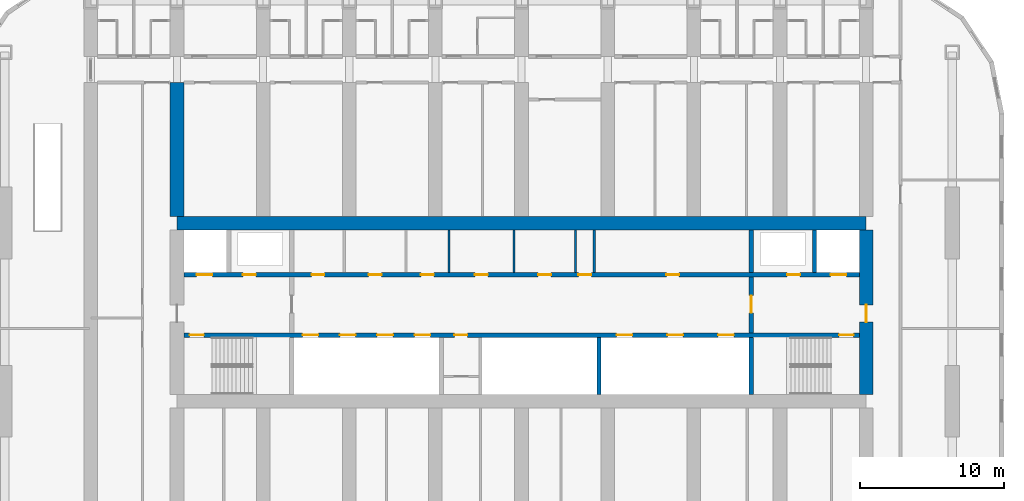
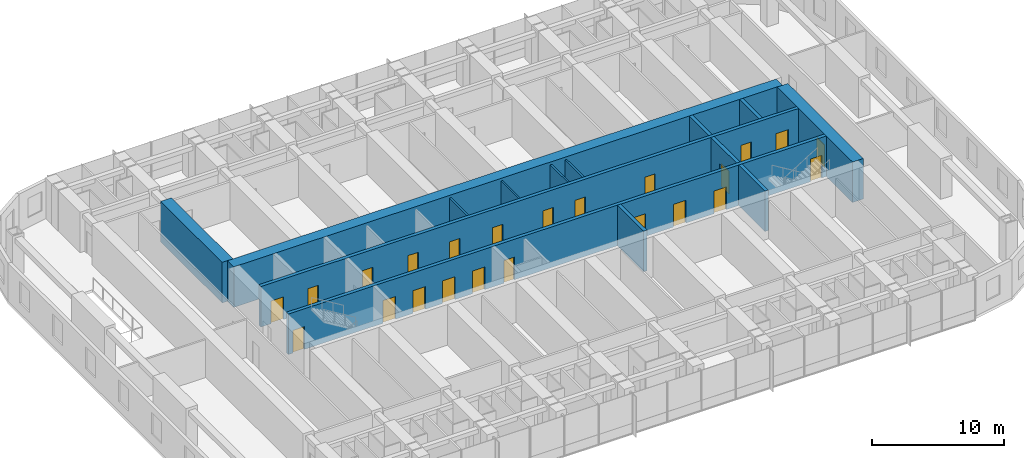
# One storey, part 12 of 21: 23 doors, 14 walls, 23 openings.
"""IFC4 building model written with IfcOpenShell, lengths in metres."""

import ifcopenshell
import ifcopenshell.guid

model = None  # the IFC model being written
_history = None  # IfcOwnerHistory: only IFC2X3 demands one
_inside = {}  # id of a spatial element -> (the spatial element, [elements in it])
_under = {}  # id of a project, library or spatial element -> (it, [spatial elements below it])
_declared = {}  # id of a project -> (the project, [libraries it declares])
_typed = {}  # id of a type object -> (the type object, [elements of that type])
_made_of = {}  # id of a material, layer set ... -> (it, [elements and type objects made of it])


def new_model(schema):
    """Start an empty IFC model of exactly this schema.

    Asked for "IFC4X3", IfcOpenShell would pick the latest addendum, in which some entities
    have other attributes; the version numbers below select the first issue.
    IFC2X3 requires an IfcOwnerHistory on every rooted entity: one is made here for all.
    """
    global model, _history
    if schema == "IFC4X3":
        model = ifcopenshell.file(schema_version=(4, 3, 0, 0))
    else:
        model = ifcopenshell.file(schema=schema)
    _inside.clear()
    _under.clear()
    _declared.clear()
    _typed.clear()
    _made_of.clear()
    _history = None
    if model.schema == "IFC2X3":
        org = make("IfcOrganization", Name="unknown")
        user = make(
            "IfcPersonAndOrganization",
            ThePerson=make("IfcPerson", FamilyName="unknown"),
            TheOrganization=org,
        )
        app = make(
            "IfcApplication",
            ApplicationDeveloper=org,
            Version="unknown",
            ApplicationFullName="unknown",
            ApplicationIdentifier="unknown",
        )
        _history = make(
            "IfcOwnerHistory",
            OwningUser=user,
            OwningApplication=app,
            ChangeAction="ADDED",
            CreationDate=0,
        )
    return model


def make(cls, **values):
    """One entity of the class cls with the attributes given. An attribute that is None is left unset."""
    return model.create_entity(
        cls, **{name: value for name, value in values.items() if value is not None}
    )


def rooted(cls, **values):
    """An entity with a GlobalId (a new one), such as an element, a storey or a relation."""
    return make(cls, GlobalId=ifcopenshell.guid.new(), OwnerHistory=_history, **values)


def si_unit(unit_type, name, prefix=None):
    """IfcSIUnit, for example si_unit("LENGTHUNIT", "METRE", prefix="MILLI")."""
    return make("IfcSIUnit", UnitType=unit_type, Prefix=prefix, Name=name)


def assignment(units):
    """IfcUnitAssignment: the units of a project."""
    return None if units is None else make("IfcUnitAssignment", Units=units)


def point(xyz):
    """IfcCartesianPoint."""
    return None if xyz is None else make("IfcCartesianPoint", Coordinates=xyz)


def direction(xyz):
    """IfcDirection."""
    return None if xyz is None else make("IfcDirection", DirectionRatios=xyz)


def frame(location, z_axis=None, x_axis=None):
    """IfcAxis2Placement3D, a coordinate frame: its origin and axes. An axis left out is left unset."""
    return make(
        "IfcAxis2Placement3D",
        Location=point(location),
        Axis=direction(z_axis),
        RefDirection=direction(x_axis),
    )


def frame_2d(location, x_axis=None):
    """IfcAxis2Placement2D, a coordinate frame in the plane: its origin and x axis."""
    return make(
        "IfcAxis2Placement2D", Location=point(location), RefDirection=direction(x_axis)
    )


def origin():
    """The frame at (0, 0, 0) with its axes left unset."""
    return frame((0.0, 0.0, 0.0))


def place(relative_to, where):
    """IfcLocalPlacement: puts the frame where relative to a parent placement (None: the world)."""
    return make(
        "IfcLocalPlacement", PlacementRelTo=relative_to, RelativePlacement=where
    )


def context(
    kind, dimensions, precision=None, world=None, true_north=None, identifier=None
):
    """IfcGeometricRepresentationContext, for example the 3D "Model" context."""
    return make(
        "IfcGeometricRepresentationContext",
        ContextIdentifier=identifier,
        ContextType=kind,
        CoordinateSpaceDimension=dimensions,
        Precision=precision,
        WorldCoordinateSystem=world,
        TrueNorth=true_north,
    )


def subcontext(parent, identifier, kind, view, scale=None):
    """IfcGeometricRepresentationSubContext, for example "Body" below "Model"."""
    return make(
        "IfcGeometricRepresentationSubContext",
        ContextIdentifier=identifier,
        ContextType=kind,
        ParentContext=parent,
        TargetScale=scale,
        TargetView=view,
    )


def project(units=None, contexts=None):
    """IfcProject with its units and contexts."""
    return rooted(
        "IfcProject",
        Name="project",
        RepresentationContexts=contexts,
        UnitsInContext=assignment(units),
    )


def spatial(cls, under=None, at=None, **own):
    """A site, building, storey or space (cls), placed at a placement, below another one or the project."""
    s = rooted(cls, ObjectPlacement=at, **own)
    if under is not None:
        _under.setdefault(under.id(), (under, []))[1].append(s)
    return s


def profile(cls, at=None, kind="AREA", **sizes):
    """A parametric profile (cls). Its sizes go by their IFC names, for example OverallWidth=200.0."""
    return make(cls, ProfileType=kind, Position=at, **sizes)


def rectangle(**sizes):
    """IfcRectangleProfileDef."""
    return profile("IfcRectangleProfileDef", **sizes)


def extrude(swept, where, along, depth):
    """IfcExtrudedAreaSolid: the profile swept, set in the frame where, extruded along a direction by depth."""
    return make(
        "IfcExtrudedAreaSolid",
        SweptArea=swept,
        Position=where,
        ExtrudedDirection=direction(along),
        Depth=depth,
    )


def shape(context_of_items, identifier, shape_type, items):
    """IfcShapeRepresentation: the items that make up one representation, for example the "Body"."""
    return make(
        "IfcShapeRepresentation",
        ContextOfItems=context_of_items,
        RepresentationIdentifier=identifier,
        RepresentationType=shape_type,
        Items=items,
    )


def material(Name=None, Category=None):
    """IfcMaterial."""
    return make("IfcMaterial", Name=Name, Category=Category)


def layer(
    of_material, thickness, ventilated=None, Name=None, Category=None, Priority=None
):
    """IfcMaterialLayer: one layer of a wall or slab, of a material (None: an air gap)."""
    return make(
        "IfcMaterialLayer",
        Material=of_material,
        LayerThickness=thickness,
        IsVentilated=ventilated,
        Name=Name,
        Category=Category,
        Priority=Priority,
    )


def layer_set(layers, Name=None):
    """IfcMaterialLayerSet."""
    return make("IfcMaterialLayerSet", MaterialLayers=layers, LayerSetName=Name)


def made_of(thing, what):
    """Note that an element or type object is made of a material, layer set ...; save() writes the relation."""
    if what is not None:
        _made_of.setdefault(what.id(), (what, []))[1].append(thing)
    return thing


def type_object(cls, material=None, **own):
    """A type object (cls), such as IfcWallType, which elements share."""
    return made_of(rooted(cls, **own), material)


def element(
    cls,
    number,
    at=None,
    inside=None,
    cuts=None,
    type_object=None,
    material=None,
    context=None,
    identifier="Body",
    shape_type=None,
    held_by="IfcProductDefinitionShape",
    body=None,
    shapes=None,
    **own,
):
    """One element of the class cls, such as IfcWall. Its Tag is "e" and its number.

    at: its placement. inside: the storey or other place that contains it. cuts: it is an
    opening in that element (IfcRelVoidsElement). A single representation is given by context,
    identifier, shape_type and body (its items); several are given by shapes. held_by: the class
    of the entity that holds the representations. save() writes the other relations.
    """
    e = rooted(cls, Tag="e%d" % number, ObjectPlacement=at, **own)
    if body is not None:
        shapes = [shape(context, identifier, shape_type, body)]
    if shapes is not None:
        e.Representation = make(held_by, Representations=shapes)
    if inside is not None:
        _inside.setdefault(inside.id(), (inside, []))[1].append(e)
    if cuts is not None:
        rooted(
            "IfcRelVoidsElement", RelatingBuildingElement=cuts, RelatedOpeningElement=e
        )
    if type_object is not None:
        _typed.setdefault(type_object.id(), (type_object, []))[1].append(e)
    return made_of(e, material)


def fill(opening, filler):
    """IfcRelFillsElement: the door or window that sits in an opening."""
    return rooted(
        "IfcRelFillsElement",
        RelatingOpeningElement=opening,
        RelatedBuildingElement=filler,
    )


def aggregate(whole, parts):
    """IfcRelAggregates: a whole, such as a stair, and the parts it consists of."""
    return rooted("IfcRelAggregates", RelatingObject=whole, RelatedObjects=parts)


def save(model, path):
    """Write the relations noted so far, then the file.

    IfcRelAggregates (storeys below a building ...), IfcRelContainedInSpatialStructure (elements
    in a storey), IfcRelDefinesByType, IfcRelAssociatesMaterial and IfcRelDeclares: one each for
    every whole, place, type object, material and project.
    """
    for whole, parts in _under.values():
        aggregate(whole, parts)
    for where, things in _inside.values():
        rooted(
            "IfcRelContainedInSpatialStructure",
            RelatedElements=things,
            RelatingStructure=where,
        )
    for kind, things in _typed.values():
        rooted("IfcRelDefinesByType", RelatedObjects=things, RelatingType=kind)
    for what, things in _made_of.values():
        rooted("IfcRelAssociatesMaterial", RelatedObjects=things, RelatingMaterial=what)
    for by, libraries in _declared.values():
        rooted("IfcRelDeclares", RelatingContext=by, RelatedDefinitions=libraries)
    model.write(path)


model = new_model("IFC4")

# Units and contexts
model_context = context("Model", 3, precision=1e-05, world=origin(), true_north=direction((0.0, 1.0)))
body_context = subcontext(model_context, "Body", "Model", "MODEL_VIEW")
ifc_project = project(units=[si_unit("LENGTHUNIT", "METRE"), si_unit("AREAUNIT", "SQUARE_METRE"), si_unit("VOLUMEUNIT", "CUBIC_METRE"), si_unit("PLANEANGLEUNIT", "RADIAN"), si_unit("MASSUNIT", "GRAM", prefix="KILO")], contexts=[model_context])

# Site, building, storey
site_placement = place(None, origin())
site = spatial("IfcSite", under=ifc_project, at=site_placement, CompositionType="ELEMENT")
building_placement = place(site_placement, origin())
building = spatial("IfcBuilding", under=site, at=building_placement, Name="Orbita Commons", CompositionType="ELEMENT")
storey_placement = place(building_placement, frame((0.0, 0.0, 88.14990234375)))
storey = spatial("IfcBuildingStorey", under=building, at=storey_placement, Name="L21", CompositionType="ELEMENT", Elevation=88.14990234375)

# Wall, openings, doors
ifc_material_1 = material(Name="Concrete C50/60", Category="concrete")
ifc_layer_1 = layer(ifc_material_1, 0.300048828125)
ifc_layer_set_1 = layer_set([ifc_layer_1], Name="Concrete C50/60")
wall_type_1 = type_object("IfcWallType", Name="Core inner wall 300 C50/60", PredefinedType="SHEAR", material=ifc_layer_set_1)
wall_1_placement = place(storey_placement, frame((18.47509765625, 30.39990234375, 0.0), z_axis=(0.0, 0.0, 1.0), x_axis=(1.0, 0.0, 0.0)))
wall_1 = element("IfcWall", 1, at=wall_1_placement, inside=storey, type_object=wall_type_1, Name="Lobby wall south L21", PredefinedType="SHEAR", context=body_context, shape_type="SweptSolid", body=[
    extrude(rectangle(XDim=47.0498046875, YDim=0.300048828125, at=frame_2d((23.52490234375, 0.0))), origin(), (0.0, 0.0, 1.0), 3.75),
])
opening_1_placement = place(wall_1_placement, frame((0.39990234375, 0.0, 0.0)))
opening_1 = element("IfcOpeningElement", 2, at=opening_1_placement, cuts=wall_1, Name="Opening D02", PredefinedType="OPENING", context=body_context, shape_type="SweptSolid", body=[
    extrude(rectangle(XDim=1.0, YDim=2.10009765625, at=frame_2d((0.5, 1.050048828125))), frame((0.0, 0.159912109375, 0.0), z_axis=(0.0, -1.0, 0.0), x_axis=(1.0, 0.0, 0.0)), (0.0, 0.0, 1.0), 0.320068359375),
])
opening_2_placement = place(wall_1_placement, frame((45.64990234375, 0.0, 0.0)))
opening_2 = element("IfcOpeningElement", 3, at=opening_2_placement, cuts=wall_1, Name="Opening D02", PredefinedType="OPENING", context=body_context, shape_type="SweptSolid", body=[
    extrude(rectangle(XDim=1.0, YDim=2.10009765625, at=frame_2d((0.5, 1.050048828125))), frame((0.0, 0.159912109375, 0.0), z_axis=(0.0, -1.0, 0.0), x_axis=(1.0, 0.0, 0.0)), (0.0, 0.0, 1.0), 0.320068359375),
])
opening_3_placement = place(wall_1_placement, frame((8.27490234375, 0.0, 0.0)))
opening_3 = element("IfcOpeningElement", 4, at=opening_3_placement, cuts=wall_1, Name="Opening LD02", PredefinedType="OPENING", context=body_context, shape_type="SweptSolid", body=[
    extrude(rectangle(XDim=1.10009765625, YDim=2.10009765625, at=frame_2d((0.550048828125, 1.050048828125))), frame((0.0, 0.159912109375, 0.0), z_axis=(0.0, -1.0, 0.0), x_axis=(1.0, 0.0, 0.0)), (0.0, 0.0, 1.0), 0.320068359375),
])
opening_4_placement = place(wall_1_placement, frame((10.875, 0.0, 0.0)))
opening_4 = element("IfcOpeningElement", 5, at=opening_4_placement, cuts=wall_1, Name="Opening LD02", PredefinedType="OPENING", context=body_context, shape_type="SweptSolid", body=[
    extrude(rectangle(XDim=1.10009765625, YDim=2.10009765625, at=frame_2d((0.550048828125, 1.050048828125))), frame((0.0, 0.159912109375, 0.0), z_axis=(0.0, -1.0, 0.0), x_axis=(1.0, 0.0, 0.0)), (0.0, 0.0, 1.0), 0.320068359375),
])
opening_5_placement = place(wall_1_placement, frame((13.47509765625, 0.0, 0.0)))
opening_5 = element("IfcOpeningElement", 6, at=opening_5_placement, cuts=wall_1, Name="Opening LD02", PredefinedType="OPENING", context=body_context, shape_type="SweptSolid", body=[
    extrude(rectangle(XDim=1.10009765625, YDim=2.10009765625, at=frame_2d((0.550048828125, 1.050048828125))), frame((0.0, 0.159912109375, 0.0), z_axis=(0.0, -1.0, 0.0), x_axis=(1.0, 0.0, 0.0)), (0.0, 0.0, 1.0), 0.320068359375),
])
opening_6_placement = place(wall_1_placement, frame((16.074951171875, 0.0, 0.0)))
opening_6 = element("IfcOpeningElement", 7, at=opening_6_placement, cuts=wall_1, Name="Opening LD02", PredefinedType="OPENING", context=body_context, shape_type="SweptSolid", body=[
    extrude(rectangle(XDim=1.10009765625, YDim=2.10009765625, at=frame_2d((0.550048828125, 1.050048828125))), frame((0.0, 0.159912109375, 0.0), z_axis=(0.0, -1.0, 0.0), x_axis=(1.0, 0.0, 0.0)), (0.0, 0.0, 1.0), 0.320068359375),
])
opening_7_placement = place(wall_1_placement, frame((18.85009765625, 0.0, 0.0)))
opening_7 = element("IfcOpeningElement", 8, at=opening_7_placement, cuts=wall_1, Name="Opening D05", PredefinedType="OPENING", context=body_context, shape_type="SweptSolid", body=[
    extrude(rectangle(XDim=0.89990234375, YDim=2.10009765625, at=frame_2d((0.449951171875, 1.050048828125))), frame((0.0, 0.159912109375, 0.0), z_axis=(0.0, -1.0, 0.0), x_axis=(1.0, 0.0, 0.0)), (0.0, 0.0, 1.0), 0.320068359375),
])
opening_8_placement = place(wall_1_placement, frame((30.1416015625, 0.0, 0.0)))
opening_8 = element("IfcOpeningElement", 9, at=opening_8_placement, cuts=wall_1, Name="Opening LD02", PredefinedType="OPENING", context=body_context, shape_type="SweptSolid", body=[
    extrude(rectangle(XDim=1.10009765625, YDim=2.10009765625, at=frame_2d((0.550048828125, 1.050048828125))), frame((0.0, 0.159912109375, 0.0), z_axis=(0.0, -1.0, 0.0), x_axis=(1.0, 0.0, 0.0)), (0.0, 0.0, 1.0), 0.320068359375),
])
opening_9_placement = place(wall_1_placement, frame((33.675048828125, 0.0, 0.0)))
opening_9 = element("IfcOpeningElement", 10, at=opening_9_placement, cuts=wall_1, Name="Opening LD02", PredefinedType="OPENING", context=body_context, shape_type="SweptSolid", body=[
    extrude(rectangle(XDim=1.10009765625, YDim=2.10009765625, at=frame_2d((0.550048828125, 1.050048828125))), frame((0.0, 0.159912109375, 0.0), z_axis=(0.0, -1.0, 0.0), x_axis=(1.0, 0.0, 0.0)), (0.0, 0.0, 1.0), 0.320068359375),
])
opening_10_placement = place(wall_1_placement, frame((37.208251953125, 0.0, 0.0)))
opening_10 = element("IfcOpeningElement", 11, at=opening_10_placement, cuts=wall_1, Name="Opening LD02", PredefinedType="OPENING", context=body_context, shape_type="SweptSolid", body=[
    extrude(rectangle(XDim=1.10009765625, YDim=2.10009765625, at=frame_2d((0.550048828125, 1.050048828125))), frame((0.0, 0.159912109375, 0.0), z_axis=(0.0, -1.0, 0.0), x_axis=(1.0, 0.0, 0.0)), (0.0, 0.0, 1.0), 0.320068359375),
])
ifc_material_2 = material(Name="Steel-faced fire door leaf", Category="steel")
door_type_1 = type_object("IfcDoorType", Name="Fire door 90 min 1000x2100", OperationType="SINGLE_SWING_LEFT", PredefinedType="DOOR", material=ifc_material_2)
door_1_placement = place(opening_1_placement, origin())
door_1 = element("IfcDoor", 12, at=door_1_placement, inside=storey, type_object=door_type_1, Name="Stair S1 door", OperationType="SINGLE_SWING_LEFT", OverallHeight=2.10009765625, OverallWidth=1.0, PredefinedType="DOOR", context=body_context, shape_type="SweptSolid", body=[
    extrude(rectangle(XDim=1.0, YDim=2.10009765625, at=frame_2d((0.5, 1.050048828125))), frame((0.0, 0.02490234375, 0.0), z_axis=(0.0, -1.0, 0.0), x_axis=(1.0, 0.0, 0.0)), (0.0, 0.0, 1.0), 0.050048828125),
])
fill(opening_1, door_1)
door_2_placement = place(opening_2_placement, origin())
door_2 = element("IfcDoor", 13, at=door_2_placement, inside=storey, type_object=door_type_1, Name="Stair S2 door", OperationType="SINGLE_SWING_LEFT", OverallHeight=2.10009765625, OverallWidth=1.0, PredefinedType="DOOR", context=body_context, shape_type="SweptSolid", body=[
    extrude(rectangle(XDim=1.0, YDim=2.10009765625, at=frame_2d((0.5, 1.050048828125))), frame((0.0, 0.02490234375, 0.0), z_axis=(0.0, -1.0, 0.0), x_axis=(1.0, 0.0, 0.0)), (0.0, 0.0, 1.0), 0.050048828125),
])
fill(opening_2, door_2)
ifc_material_3 = material(Name="Steel-faced fire door leaf", Category="steel")
door_type_2 = type_object("IfcDoorType", Name="Lift landing door 1100x2100", OperationType="DOUBLE_DOOR_SLIDING", PredefinedType="DOOR", material=ifc_material_3)
door_3_placement = place(opening_3_placement, origin())
door_3 = element("IfcDoor", 14, at=door_3_placement, inside=storey, type_object=door_type_2, Name="Lift P21 landing door", OperationType="DOUBLE_DOOR_SLIDING", OverallHeight=2.10009765625, OverallWidth=1.10009765625, PredefinedType="DOOR", context=body_context, shape_type="SweptSolid", body=[
    extrude(rectangle(XDim=1.10009765625, YDim=2.10009765625, at=frame_2d((0.550048828125, 1.050048828125))), frame((0.0, 0.02490234375, 0.0), z_axis=(0.0, -1.0, 0.0), x_axis=(1.0, 0.0, 0.0)), (0.0, 0.0, 1.0), 0.050048828125),
])
fill(opening_3, door_3)
door_4_placement = place(opening_4_placement, origin())
door_4 = element("IfcDoor", 15, at=door_4_placement, inside=storey, type_object=door_type_2, Name="Lift P22 landing door", OperationType="DOUBLE_DOOR_SLIDING", OverallHeight=2.10009765625, OverallWidth=1.10009765625, PredefinedType="DOOR", context=body_context, shape_type="SweptSolid", body=[
    extrude(rectangle(XDim=1.10009765625, YDim=2.10009765625, at=frame_2d((0.550048828125, 1.050048828125))), frame((0.0, 0.02490234375, 0.0), z_axis=(0.0, -1.0, 0.0), x_axis=(1.0, 0.0, 0.0)), (0.0, 0.0, 1.0), 0.050048828125),
])
fill(opening_4, door_4)
door_5_placement = place(opening_5_placement, origin())
door_5 = element("IfcDoor", 16, at=door_5_placement, inside=storey, type_object=door_type_2, Name="Lift P23 landing door", OperationType="DOUBLE_DOOR_SLIDING", OverallHeight=2.10009765625, OverallWidth=1.10009765625, PredefinedType="DOOR", context=body_context, shape_type="SweptSolid", body=[
    extrude(rectangle(XDim=1.10009765625, YDim=2.10009765625, at=frame_2d((0.550048828125, 1.050048828125))), frame((0.0, 0.02490234375, 0.0), z_axis=(0.0, -1.0, 0.0), x_axis=(1.0, 0.0, 0.0)), (0.0, 0.0, 1.0), 0.050048828125),
])
fill(opening_5, door_5)
door_6_placement = place(opening_6_placement, origin())
door_6 = element("IfcDoor", 17, at=door_6_placement, inside=storey, type_object=door_type_2, Name="Lift P24 landing door", OperationType="DOUBLE_DOOR_SLIDING", OverallHeight=2.10009765625, OverallWidth=1.10009765625, PredefinedType="DOOR", context=body_context, shape_type="SweptSolid", body=[
    extrude(rectangle(XDim=1.10009765625, YDim=2.10009765625, at=frame_2d((0.550048828125, 1.050048828125))), frame((0.0, 0.02490234375, 0.0), z_axis=(0.0, -1.0, 0.0), x_axis=(1.0, 0.0, 0.0)), (0.0, 0.0, 1.0), 0.050048828125),
])
fill(opening_6, door_6)
door_7_placement = place(opening_8_placement, origin())
door_7 = element("IfcDoor", 18, at=door_7_placement, inside=storey, type_object=door_type_2, Name="Lift SV1 landing door", OperationType="DOUBLE_DOOR_SLIDING", OverallHeight=2.10009765625, OverallWidth=1.10009765625, PredefinedType="DOOR", context=body_context, shape_type="SweptSolid", body=[
    extrude(rectangle(XDim=1.10009765625, YDim=2.10009765625, at=frame_2d((0.550048828125, 1.050048828125))), frame((0.0, 0.02490234375, 0.0), z_axis=(0.0, -1.0, 0.0), x_axis=(1.0, 0.0, 0.0)), (0.0, 0.0, 1.0), 0.050048828125),
])
fill(opening_8, door_7)
door_8_placement = place(opening_9_placement, origin())
door_8 = element("IfcDoor", 19, at=door_8_placement, inside=storey, type_object=door_type_2, Name="Lift SV2 landing door", OperationType="DOUBLE_DOOR_SLIDING", OverallHeight=2.10009765625, OverallWidth=1.10009765625, PredefinedType="DOOR", context=body_context, shape_type="SweptSolid", body=[
    extrude(rectangle(XDim=1.10009765625, YDim=2.10009765625, at=frame_2d((0.550048828125, 1.050048828125))), frame((0.0, 0.02490234375, 0.0), z_axis=(0.0, -1.0, 0.0), x_axis=(1.0, 0.0, 0.0)), (0.0, 0.0, 1.0), 0.050048828125),
])
fill(opening_9, door_8)
door_9_placement = place(opening_10_placement, origin())
door_9 = element("IfcDoor", 20, at=door_9_placement, inside=storey, type_object=door_type_2, Name="Lift SV3 landing door", OperationType="DOUBLE_DOOR_SLIDING", OverallHeight=2.10009765625, OverallWidth=1.10009765625, PredefinedType="DOOR", context=body_context, shape_type="SweptSolid", body=[
    extrude(rectangle(XDim=1.10009765625, YDim=2.10009765625, at=frame_2d((0.550048828125, 1.050048828125))), frame((0.0, 0.02490234375, 0.0), z_axis=(0.0, -1.0, 0.0), x_axis=(1.0, 0.0, 0.0)), (0.0, 0.0, 1.0), 0.050048828125),
])
fill(opening_10, door_9)
ifc_material_4 = material(Name="Steel-faced fire door leaf", Category="steel")
door_type_3 = type_object("IfcDoorType", Name="Service door 20 min 900x2100", OperationType="SINGLE_SWING_LEFT", PredefinedType="DOOR", material=ifc_material_4)
door_10_placement = place(opening_7_placement, origin())
door_10 = element("IfcDoor", 21, at=door_10_placement, inside=storey, type_object=door_type_3, Name="Linen store door", OperationType="SINGLE_SWING_LEFT", OverallHeight=2.10009765625, OverallWidth=0.89990234375, PredefinedType="DOOR", context=body_context, shape_type="SweptSolid", body=[
    extrude(rectangle(XDim=0.89990234375, YDim=2.10009765625, at=frame_2d((0.449951171875, 1.050048828125))), frame((0.0, 0.02490234375, 0.0), z_axis=(0.0, -1.0, 0.0), x_axis=(1.0, 0.0, 0.0)), (0.0, 0.0, 1.0), 0.050048828125),
])
fill(opening_7, door_10)

wall_2_placement = place(storey_placement, frame((18.47509765625, 34.60009765625, 0.0), z_axis=(0.0, 0.0, 1.0), x_axis=(1.0, 0.0, 0.0)))
wall_2 = element("IfcWall", 22, at=wall_2_placement, inside=storey, type_object=wall_type_1, Name="Lobby wall north L21", PredefinedType="SHEAR", context=body_context, shape_type="SweptSolid", body=[
    extrude(rectangle(XDim=47.0498046875, YDim=0.300048828125, at=frame_2d((23.52490234375, 0.0))), origin(), (0.0, 0.0, 1.0), 3.75),
])
opening_11_placement = place(wall_2_placement, frame((0.89990234375, 0.0, 0.0)))
opening_11 = element("IfcOpeningElement", 23, at=opening_11_placement, cuts=wall_2, Name="Opening LD01", PredefinedType="OPENING", context=body_context, shape_type="SweptSolid", body=[
    extrude(rectangle(XDim=1.10009765625, YDim=2.10009765625, at=frame_2d((0.550048828125, 1.050048828125))), frame((0.0, 0.159912109375, 0.0), z_axis=(0.0, -1.0, 0.0), x_axis=(1.0, 0.0, 0.0)), (0.0, 0.0, 1.0), 0.320068359375),
])
opening_12_placement = place(wall_2_placement, frame((45.050048828125, 0.0, 0.0)))
opening_12 = element("IfcOpeningElement", 24, at=opening_12_placement, cuts=wall_2, Name="Opening LD01", PredefinedType="OPENING", context=body_context, shape_type="SweptSolid", body=[
    extrude(rectangle(XDim=1.10009765625, YDim=2.10009765625, at=frame_2d((0.550048828125, 1.050048828125))), frame((0.0, 0.159912109375, 0.0), z_axis=(0.0, -1.0, 0.0), x_axis=(1.0, 0.0, 0.0)), (0.0, 0.0, 1.0), 0.320068359375),
])
opening_13_placement = place(wall_2_placement, frame((4.125, 0.0, 0.0)))
opening_13 = element("IfcOpeningElement", 25, at=opening_13_placement, cuts=wall_2, Name="Opening D03", PredefinedType="OPENING", context=body_context, shape_type="SweptSolid", body=[
    extrude(rectangle(XDim=0.89990234375, YDim=2.10009765625, at=frame_2d((0.449951171875, 1.050048828125))), frame((0.0, 0.159912109375, 0.0), z_axis=(0.0, -1.0, 0.0), x_axis=(1.0, 0.0, 0.0)), (0.0, 0.0, 1.0), 0.320068359375),
])
opening_14_placement = place(wall_2_placement, frame((42.02490234375, 0.0, 0.0)))
opening_14 = element("IfcOpeningElement", 26, at=opening_14_placement, cuts=wall_2, Name="Opening D03", PredefinedType="OPENING", context=body_context, shape_type="SweptSolid", body=[
    extrude(rectangle(XDim=0.89990234375, YDim=2.10009765625, at=frame_2d((0.449951171875, 1.050048828125))), frame((0.0, 0.159912109375, 0.0), z_axis=(0.0, -1.0, 0.0), x_axis=(1.0, 0.0, 0.0)), (0.0, 0.0, 1.0), 0.320068359375),
])
opening_15_placement = place(wall_2_placement, frame((8.900390625, 0.0, 0.0)))
opening_15 = element("IfcOpeningElement", 27, at=opening_15_placement, cuts=wall_2, Name="Opening D05", PredefinedType="OPENING", context=body_context, shape_type="SweptSolid", body=[
    extrude(rectangle(XDim=0.89990234375, YDim=2.10009765625, at=frame_2d((0.449951171875, 1.050048828125))), frame((0.0, 0.159912109375, 0.0), z_axis=(0.0, -1.0, 0.0), x_axis=(1.0, 0.0, 0.0)), (0.0, 0.0, 1.0), 0.320068359375),
])
opening_16_placement = place(wall_2_placement, frame((12.873779296875, 0.0, 0.0)))
opening_16 = element("IfcOpeningElement", 28, at=opening_16_placement, cuts=wall_2, Name="Opening D03", PredefinedType="OPENING", context=body_context, shape_type="SweptSolid", body=[
    extrude(rectangle(XDim=0.89990234375, YDim=2.10009765625, at=frame_2d((0.449951171875, 1.050048828125))), frame((0.0, 0.159912109375, 0.0), z_axis=(0.0, -1.0, 0.0), x_axis=(1.0, 0.0, 0.0)), (0.0, 0.0, 1.0), 0.320068359375),
])
opening_17_placement = place(wall_2_placement, frame((16.521240234375, 0.0, 0.0)))
opening_17 = element("IfcOpeningElement", 29, at=opening_17_placement, cuts=wall_2, Name="Opening D03", PredefinedType="OPENING", context=body_context, shape_type="SweptSolid", body=[
    extrude(rectangle(XDim=0.89990234375, YDim=2.10009765625, at=frame_2d((0.449951171875, 1.050048828125))), frame((0.0, 0.159912109375, 0.0), z_axis=(0.0, -1.0, 0.0), x_axis=(1.0, 0.0, 0.0)), (0.0, 0.0, 1.0), 0.320068359375),
])
opening_18_placement = place(wall_2_placement, frame((20.27978515625, 0.0, 0.0)))
opening_18 = element("IfcOpeningElement", 30, at=opening_18_placement, cuts=wall_2, Name="Opening D05", PredefinedType="OPENING", context=body_context, shape_type="SweptSolid", body=[
    extrude(rectangle(XDim=0.89990234375, YDim=2.10009765625, at=frame_2d((0.449951171875, 1.050048828125))), frame((0.0, 0.159912109375, 0.0), z_axis=(0.0, -1.0, 0.0), x_axis=(1.0, 0.0, 0.0)), (0.0, 0.0, 1.0), 0.320068359375),
])
opening_19_placement = place(wall_2_placement, frame((24.685791015625, 0.0, 0.0)))
opening_19 = element("IfcOpeningElement", 31, at=opening_19_placement, cuts=wall_2, Name="Opening D03", PredefinedType="OPENING", context=body_context, shape_type="SweptSolid", body=[
    extrude(rectangle(XDim=0.89990234375, YDim=2.10009765625, at=frame_2d((0.449951171875, 1.050048828125))), frame((0.0, 0.159912109375, 0.0), z_axis=(0.0, -1.0, 0.0), x_axis=(1.0, 0.0, 0.0)), (0.0, 0.0, 1.0), 0.320068359375),
])
opening_20_placement = place(wall_2_placement, frame((27.4833984375, 0.0, 0.0)))
opening_20 = element("IfcOpeningElement", 32, at=opening_20_placement, cuts=wall_2, Name="Opening D03", PredefinedType="OPENING", context=body_context, shape_type="SweptSolid", body=[
    extrude(rectangle(XDim=0.89990234375, YDim=2.10009765625, at=frame_2d((0.449951171875, 1.050048828125))), frame((0.0, 0.159912109375, 0.0), z_axis=(0.0, -1.0, 0.0), x_axis=(1.0, 0.0, 0.0)), (0.0, 0.0, 1.0), 0.320068359375),
])
opening_21_placement = place(wall_2_placement, frame((33.604248046875, 0.0, 0.0)))
opening_21 = element("IfcOpeningElement", 33, at=opening_21_placement, cuts=wall_2, Name="Opening D03", PredefinedType="OPENING", context=body_context, shape_type="SweptSolid", body=[
    extrude(rectangle(XDim=0.89990234375, YDim=2.10009765625, at=frame_2d((0.449951171875, 1.050048828125))), frame((0.0, 0.159912109375, 0.0), z_axis=(0.0, -1.0, 0.0), x_axis=(1.0, 0.0, 0.0)), (0.0, 0.0, 1.0), 0.320068359375),
])
ifc_material_5 = material(Name="Steel-faced fire door leaf", Category="steel")
door_type_4 = type_object("IfcDoorType", Name="Firefighting lift landing door 1100x2100", OperationType="DOUBLE_DOOR_SLIDING", PredefinedType="DOOR", material=ifc_material_5)
door_11_placement = place(opening_11_placement, origin())
door_11 = element("IfcDoor", 34, at=door_11_placement, inside=storey, type_object=door_type_4, Name="Firefighting lift FL1 landing door", OperationType="DOUBLE_DOOR_SLIDING", OverallHeight=2.10009765625, OverallWidth=1.10009765625, PredefinedType="DOOR", context=body_context, shape_type="SweptSolid", body=[
    extrude(rectangle(XDim=1.10009765625, YDim=2.10009765625, at=frame_2d((0.550048828125, 1.050048828125))), frame((0.0, 0.02490234375, 0.0), z_axis=(0.0, -1.0, 0.0), x_axis=(1.0, 0.0, 0.0)), (0.0, 0.0, 1.0), 0.050048828125),
])
fill(opening_11, door_11)
door_12_placement = place(opening_12_placement, origin())
door_12 = element("IfcDoor", 35, at=door_12_placement, inside=storey, type_object=door_type_4, Name="Firefighting lift FL2 landing door", OperationType="DOUBLE_DOOR_SLIDING", OverallHeight=2.10009765625, OverallWidth=1.10009765625, PredefinedType="DOOR", context=body_context, shape_type="SweptSolid", body=[
    extrude(rectangle(XDim=1.10009765625, YDim=2.10009765625, at=frame_2d((0.550048828125, 1.050048828125))), frame((0.0, 0.02490234375, 0.0), z_axis=(0.0, -1.0, 0.0), x_axis=(1.0, 0.0, 0.0)), (0.0, 0.0, 1.0), 0.050048828125),
])
fill(opening_12, door_12)
door_13_placement = place(opening_15_placement, origin())
door_13 = element("IfcDoor", 36, at=door_13_placement, inside=storey, type_object=door_type_3, Name="Staff WC door", OperationType="SINGLE_SWING_LEFT", OverallHeight=2.10009765625, OverallWidth=0.89990234375, PredefinedType="DOOR", context=body_context, shape_type="SweptSolid", body=[
    extrude(rectangle(XDim=0.89990234375, YDim=2.10009765625, at=frame_2d((0.449951171875, 1.050048828125))), frame((0.0, 0.02490234375, 0.0), z_axis=(0.0, -1.0, 0.0), x_axis=(1.0, 0.0, 0.0)), (0.0, 0.0, 1.0), 0.050048828125),
])
fill(opening_15, door_13)
door_14_placement = place(opening_18_placement, origin())
door_14 = element("IfcDoor", 37, at=door_14_placement, inside=storey, type_object=door_type_3, Name="Accessible WC door", OperationType="SINGLE_SWING_LEFT", OverallHeight=2.10009765625, OverallWidth=0.89990234375, PredefinedType="DOOR", context=body_context, shape_type="SweptSolid", body=[
    extrude(rectangle(XDim=0.89990234375, YDim=2.10009765625, at=frame_2d((0.449951171875, 1.050048828125))), frame((0.0, 0.02490234375, 0.0), z_axis=(0.0, -1.0, 0.0), x_axis=(1.0, 0.0, 0.0)), (0.0, 0.0, 1.0), 0.050048828125),
])
fill(opening_18, door_14)
ifc_material_6 = material(Name="Steel-faced fire door leaf", Category="steel")
door_type_5 = type_object("IfcDoorType", Name="Shaft access door 90 min 900x2100", OperationType="SINGLE_SWING_LEFT", PredefinedType="DOOR", material=ifc_material_6)
door_15_placement = place(opening_13_placement, origin())
door_15 = element("IfcDoor", 38, at=door_15_placement, inside=storey, type_object=door_type_5, Name="Riser door west", OperationType="SINGLE_SWING_LEFT", OverallHeight=2.10009765625, OverallWidth=0.89990234375, PredefinedType="DOOR", context=body_context, shape_type="SweptSolid", body=[
    extrude(rectangle(XDim=0.89990234375, YDim=2.10009765625, at=frame_2d((0.449951171875, 1.050048828125))), frame((0.0, 0.02490234375, 0.0), z_axis=(0.0, -1.0, 0.0), x_axis=(1.0, 0.0, 0.0)), (0.0, 0.0, 1.0), 0.050048828125),
])
fill(opening_13, door_15)
door_16_placement = place(opening_14_placement, origin())
door_16 = element("IfcDoor", 39, at=door_16_placement, inside=storey, type_object=door_type_5, Name="Riser door east", OperationType="SINGLE_SWING_LEFT", OverallHeight=2.10009765625, OverallWidth=0.89990234375, PredefinedType="DOOR", context=body_context, shape_type="SweptSolid", body=[
    extrude(rectangle(XDim=0.89990234375, YDim=2.10009765625, at=frame_2d((0.449951171875, 1.050048828125))), frame((0.0, 0.02490234375, 0.0), z_axis=(0.0, -1.0, 0.0), x_axis=(1.0, 0.0, 0.0)), (0.0, 0.0, 1.0), 0.050048828125),
])
fill(opening_14, door_16)
door_17_placement = place(opening_16_placement, origin())
door_17 = element("IfcDoor", 40, at=door_17_placement, inside=storey, type_object=door_type_5, Name="Refuse chute room door", OperationType="SINGLE_SWING_LEFT", OverallHeight=2.10009765625, OverallWidth=0.89990234375, PredefinedType="DOOR", context=body_context, shape_type="SweptSolid", body=[
    extrude(rectangle(XDim=0.89990234375, YDim=2.10009765625, at=frame_2d((0.449951171875, 1.050048828125))), frame((0.0, 0.02490234375, 0.0), z_axis=(0.0, -1.0, 0.0), x_axis=(1.0, 0.0, 0.0)), (0.0, 0.0, 1.0), 0.050048828125),
])
fill(opening_16, door_17)
door_18_placement = place(opening_17_placement, origin())
door_18 = element("IfcDoor", 41, at=door_18_placement, inside=storey, type_object=door_type_5, Name="Electrical riser room door", OperationType="SINGLE_SWING_LEFT", OverallHeight=2.10009765625, OverallWidth=0.89990234375, PredefinedType="DOOR", context=body_context, shape_type="SweptSolid", body=[
    extrude(rectangle(XDim=0.89990234375, YDim=2.10009765625, at=frame_2d((0.449951171875, 1.050048828125))), frame((0.0, 0.02490234375, 0.0), z_axis=(0.0, -1.0, 0.0), x_axis=(1.0, 0.0, 0.0)), (0.0, 0.0, 1.0), 0.050048828125),
])
fill(opening_17, door_18)
door_19_placement = place(opening_19_placement, origin())
door_19 = element("IfcDoor", 42, at=door_19_placement, inside=storey, type_object=door_type_5, Name="Communications room door", OperationType="SINGLE_SWING_LEFT", OverallHeight=2.10009765625, OverallWidth=0.89990234375, PredefinedType="DOOR", context=body_context, shape_type="SweptSolid", body=[
    extrude(rectangle(XDim=0.89990234375, YDim=2.10009765625, at=frame_2d((0.449951171875, 1.050048828125))), frame((0.0, 0.02490234375, 0.0), z_axis=(0.0, -1.0, 0.0), x_axis=(1.0, 0.0, 0.0)), (0.0, 0.0, 1.0), 0.050048828125),
])
fill(opening_19, door_19)
door_20_placement = place(opening_20_placement, origin())
door_20 = element("IfcDoor", 43, at=door_20_placement, inside=storey, type_object=door_type_5, Name="Stair pressurisation duct door", OperationType="SINGLE_SWING_LEFT", OverallHeight=2.10009765625, OverallWidth=0.89990234375, PredefinedType="DOOR", context=body_context, shape_type="SweptSolid", body=[
    extrude(rectangle(XDim=0.89990234375, YDim=2.10009765625, at=frame_2d((0.449951171875, 1.050048828125))), frame((0.0, 0.02490234375, 0.0), z_axis=(0.0, -1.0, 0.0), x_axis=(1.0, 0.0, 0.0)), (0.0, 0.0, 1.0), 0.050048828125),
])
fill(opening_20, door_20)
door_21_placement = place(opening_21_placement, origin())
door_21 = element("IfcDoor", 44, at=door_21_placement, inside=storey, type_object=door_type_5, Name="Linen and housekeeping store door", OperationType="SINGLE_SWING_LEFT", OverallHeight=2.10009765625, OverallWidth=0.89990234375, PredefinedType="DOOR", context=body_context, shape_type="SweptSolid", body=[
    extrude(rectangle(XDim=0.89990234375, YDim=2.10009765625, at=frame_2d((0.449951171875, 1.050048828125))), frame((0.0, 0.02490234375, 0.0), z_axis=(0.0, -1.0, 0.0), x_axis=(1.0, 0.0, 0.0)), (0.0, 0.0, 1.0), 0.050048828125),
])
fill(opening_21, door_21)

# Wall
wall_3_placement = place(storey_placement, frame((58.0, 26.27490234375, 0.0), z_axis=(0.0, 0.0, 1.0), x_axis=(0.0, 1.0, 0.0)))
element("IfcWall", 45, at=wall_3_placement, inside=storey, type_object=wall_type_1, Name="Stair S2 wall L21", PredefinedType="SHEAR", context=body_context, shape_type="SweptSolid", body=[
    extrude(rectangle(XDim=3.97509765625, YDim=0.300048828125, at=frame_2d((1.987548828125, 0.0))), origin(), (0.0, 0.0, 1.0), 3.75),
])

# Wall, opening, door
wall_4_placement = place(storey_placement, frame((58.0, 30.550048828125, 0.0), z_axis=(0.0, 0.0, 1.0), x_axis=(0.0, 1.0, 0.0)))
wall_4 = element("IfcWall", 46, at=wall_4_placement, inside=storey, type_object=wall_type_1, Name="Firefighting lobby wall east L21", PredefinedType="SHEAR", context=body_context, shape_type="SweptSolid", body=[
    extrude(rectangle(XDim=3.89990234375, YDim=0.300048828125, at=frame_2d((1.949951171875, 0.0))), origin(), (0.0, 0.0, 1.0), 3.75),
])
opening_22_placement = place(wall_4_placement, frame((1.39990234375, 0.0, 0.0)))
opening_22 = element("IfcOpeningElement", 47, at=opening_22_placement, cuts=wall_4, Name="Opening D04", PredefinedType="OPENING", context=body_context, shape_type="SweptSolid", body=[
    extrude(rectangle(XDim=1.199951171875, YDim=2.10009765625, at=frame_2d((0.60009765625, 1.050048828125))), frame((0.0, 0.159912109375, 0.0), z_axis=(0.0, -1.0, 0.0), x_axis=(1.0, 0.0, 0.0)), (0.0, 0.0, 1.0), 0.320068359375),
])
ifc_material_7 = material(Name="Steel-faced fire door leaf", Category="steel")
door_type_6 = type_object("IfcDoorType", Name="Service door 20 min 1200x2100", OperationType="SINGLE_SWING_LEFT", PredefinedType="DOOR", material=ifc_material_7)
door_22_placement = place(opening_22_placement, origin())
door_22 = element("IfcDoor", 48, at=door_22_placement, inside=storey, type_object=door_type_6, Name="Lift lobby door east", OperationType="SINGLE_SWING_LEFT", OverallHeight=2.10009765625, OverallWidth=1.199951171875, PredefinedType="DOOR", context=body_context, shape_type="SweptSolid", body=[
    extrude(rectangle(XDim=1.199951171875, YDim=2.10009765625, at=frame_2d((0.60009765625, 1.050048828125))), frame((0.0, 0.02490234375, 0.0), z_axis=(0.0, -1.0, 0.0), x_axis=(1.0, 0.0, 0.0)), (0.0, 0.0, 1.0), 0.050048828125),
])
fill(opening_22, door_22)

# Walls
for number, where, z_axis, x_axis, name in (
    (49, (62.39990234375, 34.75, 0.0), (0.0, 0.0, 1.0), (0.0, 1.0, 0.0), "Firefighting lift FL2 shaft wall L21"),
    (50, (58.0, 34.75, 0.0), (0.0, 0.0, 1.0), (0.0, 1.0, 0.0), "Riser wall east L21"),
):
    element("IfcWall", number, at=place(storey_placement, frame(where, z_axis=z_axis, x_axis=x_axis)), inside=storey, type_object=wall_type_1, Name=name, PredefinedType="SHEAR", context=body_context, shape_type="SweptSolid", body=[
        extrude(rectangle(XDim=2.97509765625, YDim=0.300048828125, at=frame_2d((1.487548828125, 0.0))), origin(), (0.0, 0.0, 1.0), 3.75),
    ])
wall_5_placement = place(storey_placement, frame((47.39990234375, 26.27490234375, 0.0), z_axis=(0.0, 0.0, 1.0), x_axis=(0.0, 1.0, 0.0)))
element("IfcWall", 51, at=wall_5_placement, inside=storey, type_object=wall_type_1, Name="Hoistway division wall L21", PredefinedType="SHEAR", context=body_context, shape_type="SweptSolid", body=[
    extrude(rectangle(XDim=3.97509765625, YDim=0.300048828125, at=frame_2d((1.987548828125, 0.0))), origin(), (0.0, 0.0, 1.0), 3.75),
])
ifc_material_8 = material(Name="Concrete blockwork", Category="masonry")
ifc_layer_2 = layer(ifc_material_8, 0.14990234375)
ifc_layer_set_2 = layer_set([ifc_layer_2], Name="Concrete blockwork")
wall_type_2 = type_object("IfcWallType", Name="Core partition 150 blockwork", PredefinedType="SOLIDWALL", material=ifc_layer_set_2)
for number, where, z_axis, x_axis, name in (
    (52, (36.9462890625, 34.75, 0.0), (0.0, 0.0, 1.0), (0.0, 1.0, 0.0), "Core partition 150 blockwork L21"),
    (53, (41.463134765625, 34.75, 0.0), (0.0, 0.0, 1.0), (0.0, 1.0, 0.0), "Core partition 150 blockwork L21"),
    (54, (45.75830078125, 34.75, 0.0), (0.0, 0.0, 1.0), (0.0, 1.0, 0.0), "Core partition 150 blockwork L21"),
    (55, (47.058349609375, 34.75, 0.0), (0.0, 0.0, 1.0), (0.0, 1.0, 0.0), "Core partition 150 blockwork L21"),
):
    element("IfcWall", number, at=place(storey_placement, frame(where, z_axis=z_axis, x_axis=x_axis)), inside=storey, type_object=wall_type_2, Name=name, PredefinedType="SOLIDWALL", context=body_context, shape_type="SweptSolid", body=[
        extrude(rectangle(XDim=2.97509765625, YDim=0.14990234375, at=frame_2d((1.487548828125, 0.0))), origin(), (0.0, 0.0, 1.0), 3.5),
    ])
ifc_material_9 = material(Name="Concrete C50/60", Category="concrete")
ifc_layer_3 = layer(ifc_material_9, 0.949951171875)
ifc_layer_set_3 = layer_set([ifc_layer_3], Name="Concrete C50/60")
wall_type_3 = type_object("IfcWallType", Name="Core wall 950 C50/60", PredefinedType="SHEAR", material=ifc_layer_set_3)
wall_6_placement = place(storey_placement, frame((18.0, 38.199951171875, 0.0), z_axis=(0.0, 0.0, 1.0), x_axis=(1.0, 0.0, 0.0)))
element("IfcWall", 56, at=wall_6_placement, inside=storey, type_object=wall_type_3, Name="Core spine wall north L21", PredefinedType="SHEAR", context=body_context, shape_type="SweptSolid", body=[
    extrude(rectangle(XDim=48.0, YDim=0.949951171875, at=frame_2d((24.0, 0.0))), origin(), (0.0, 0.0, 1.0), 3.75),
])

# Wall, opening, door
wall_7_placement = place(storey_placement, frame((66.0, 26.27490234375, 0.0), z_axis=(0.0, 0.0, 1.0), x_axis=(0.0, 1.0, 0.0)))
wall_7 = element("IfcWall", 57, at=wall_7_placement, inside=storey, type_object=wall_type_3, Name="Core end wall east L21", PredefinedType="SHEAR", context=body_context, shape_type="SweptSolid", body=[
    extrude(rectangle(XDim=11.4501953125, YDim=0.949951171875, at=frame_2d((5.72509765625, 0.0))), origin(), (0.0, 0.0, 1.0), 3.75),
])
opening_23_placement = place(wall_7_placement, frame((5.02490234375, 0.0, 0.0)))
opening_23 = element("IfcOpeningElement", 58, at=opening_23_placement, cuts=wall_7, Name="Opening D01", PredefinedType="OPENING", context=body_context, shape_type="SweptSolid", body=[
    extrude(rectangle(XDim=1.199951171875, YDim=2.10009765625, at=frame_2d((0.60009765625, 1.050048828125))), frame((0.0, 0.48486328125, 0.0), z_axis=(0.0, -1.0, 0.0), x_axis=(1.0, 0.0, 0.0)), (0.0, 0.0, 1.0), 0.969970703125),
])
ifc_material_10 = material(Name="Steel-faced fire door leaf", Category="steel")
door_type_7 = type_object("IfcDoorType", Name="Fire door 90 min 1200x2100", OperationType="SINGLE_SWING_LEFT", PredefinedType="DOOR", material=ifc_material_10)
door_23_placement = place(opening_23_placement, origin())
door_23 = element("IfcDoor", 59, at=door_23_placement, inside=storey, type_object=door_type_7, Name="Firefighting lobby east door", OperationType="SINGLE_SWING_LEFT", OverallHeight=2.10009765625, OverallWidth=1.199951171875, PredefinedType="DOOR", context=body_context, shape_type="SweptSolid", body=[
    extrude(rectangle(XDim=1.199951171875, YDim=2.10009765625, at=frame_2d((0.60009765625, 1.050048828125))), frame((0.0, 0.02490234375, 0.0), z_axis=(0.0, -1.0, 0.0), x_axis=(1.0, 0.0, 0.0)), (0.0, 0.0, 1.0), 0.050048828125),
])
fill(opening_23, door_23)

# Wall
ifc_material_11 = material(Name="Concrete C50/60", Category="concrete")
ifc_layer_4 = layer(ifc_material_11, 0.949951171875)
ifc_layer_set_4 = layer_set([ifc_layer_4], Name="Concrete C50/60")
wall_type_4 = type_object("IfcWallType", Name="Cross wall 950 C50/60", PredefinedType="SHEAR", material=ifc_layer_set_4)
wall_8_placement = place(storey_placement, frame((18.0, 38.675048828125, 0.0), z_axis=(0.0, 0.0, 1.0), x_axis=(0.0, 1.0, 0.0)))
element("IfcWall", 60, at=wall_8_placement, inside=storey, type_object=wall_type_4, Name="Cross wall 4 north inner L21", PredefinedType="SHEAR", context=body_context, shape_type="SweptSolid", body=[
    extrude(rectangle(XDim=9.324951171875, YDim=0.949951171875, at=frame_2d((4.66259765625, 0.0))), origin(), (0.0, 0.0, 1.0), 3.75),
])

save(model, "model.ifc")
